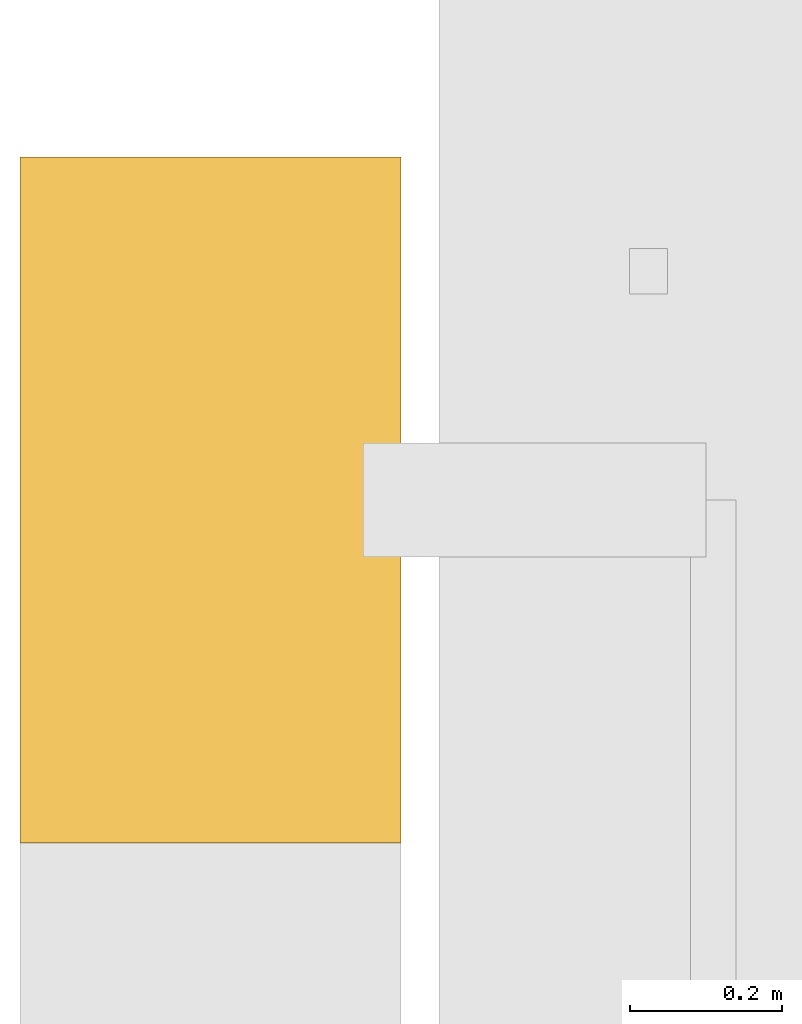
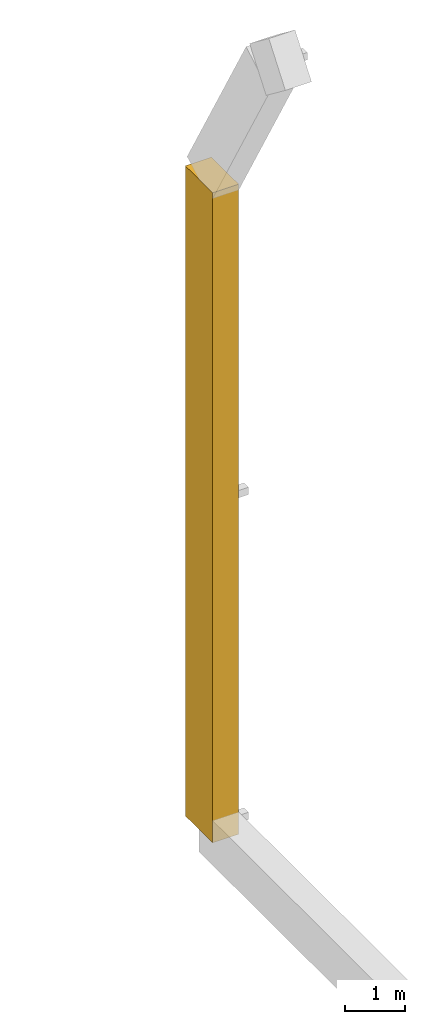
# One storey, part 24 of 38: 1 covering.
"""IFC4 building model written with IfcOpenShell, lengths in metres."""

import ifcopenshell
import ifcopenshell.guid

model = None  # the IFC model being written
_history = None  # IfcOwnerHistory: only IFC2X3 demands one
_inside = {}  # id of a spatial element -> (the spatial element, [elements in it])
_under = {}  # id of a project, library or spatial element -> (it, [spatial elements below it])
_declared = {}  # id of a project -> (the project, [libraries it declares])
_typed = {}  # id of a type object -> (the type object, [elements of that type])
_made_of = {}  # id of a material, layer set ... -> (it, [elements and type objects made of it])


def new_model(schema):
    """Start an empty IFC model of exactly this schema.

    Asked for "IFC4X3", IfcOpenShell would pick the latest addendum, in which some entities
    have other attributes; the version numbers below select the first issue.
    IFC2X3 requires an IfcOwnerHistory on every rooted entity: one is made here for all.
    """
    global model, _history
    if schema == "IFC4X3":
        model = ifcopenshell.file(schema_version=(4, 3, 0, 0))
    else:
        model = ifcopenshell.file(schema=schema)
    _inside.clear()
    _under.clear()
    _declared.clear()
    _typed.clear()
    _made_of.clear()
    _history = None
    if model.schema == "IFC2X3":
        org = make("IfcOrganization", Name="unknown")
        user = make(
            "IfcPersonAndOrganization",
            ThePerson=make("IfcPerson", FamilyName="unknown"),
            TheOrganization=org,
        )
        app = make(
            "IfcApplication",
            ApplicationDeveloper=org,
            Version="unknown",
            ApplicationFullName="unknown",
            ApplicationIdentifier="unknown",
        )
        _history = make(
            "IfcOwnerHistory",
            OwningUser=user,
            OwningApplication=app,
            ChangeAction="ADDED",
            CreationDate=0,
        )
    return model


def make(cls, **values):
    """One entity of the class cls with the attributes given. An attribute that is None is left unset."""
    return model.create_entity(
        cls, **{name: value for name, value in values.items() if value is not None}
    )


def rooted(cls, **values):
    """An entity with a GlobalId (a new one), such as an element, a storey or a relation."""
    return make(cls, GlobalId=ifcopenshell.guid.new(), OwnerHistory=_history, **values)


def si_unit(unit_type, name, prefix=None):
    """IfcSIUnit, for example si_unit("LENGTHUNIT", "METRE", prefix="MILLI")."""
    return make("IfcSIUnit", UnitType=unit_type, Prefix=prefix, Name=name)


def assignment(units):
    """IfcUnitAssignment: the units of a project."""
    return None if units is None else make("IfcUnitAssignment", Units=units)


def point(xyz):
    """IfcCartesianPoint."""
    return None if xyz is None else make("IfcCartesianPoint", Coordinates=xyz)


def direction(xyz):
    """IfcDirection."""
    return None if xyz is None else make("IfcDirection", DirectionRatios=xyz)


def frame(location, z_axis=None, x_axis=None):
    """IfcAxis2Placement3D, a coordinate frame: its origin and axes. An axis left out is left unset."""
    return make(
        "IfcAxis2Placement3D",
        Location=point(location),
        Axis=direction(z_axis),
        RefDirection=direction(x_axis),
    )


def frame_2d(location, x_axis=None):
    """IfcAxis2Placement2D, a coordinate frame in the plane: its origin and x axis."""
    return make(
        "IfcAxis2Placement2D", Location=point(location), RefDirection=direction(x_axis)
    )


def origin():
    """The frame at (0, 0, 0) with its axes left unset."""
    return frame((0.0, 0.0, 0.0))


def origin_2d():
    """The frame at (0, 0) in the plane with its x axis left unset."""
    return frame_2d((0.0, 0.0))


def place(relative_to, where):
    """IfcLocalPlacement: puts the frame where relative to a parent placement (None: the world)."""
    return make(
        "IfcLocalPlacement", PlacementRelTo=relative_to, RelativePlacement=where
    )


def context(
    kind, dimensions, precision=None, world=None, true_north=None, identifier=None
):
    """IfcGeometricRepresentationContext, for example the 3D "Model" context."""
    return make(
        "IfcGeometricRepresentationContext",
        ContextIdentifier=identifier,
        ContextType=kind,
        CoordinateSpaceDimension=dimensions,
        Precision=precision,
        WorldCoordinateSystem=world,
        TrueNorth=true_north,
    )


def subcontext(parent, identifier, kind, view, scale=None):
    """IfcGeometricRepresentationSubContext, for example "Body" below "Model"."""
    return make(
        "IfcGeometricRepresentationSubContext",
        ContextIdentifier=identifier,
        ContextType=kind,
        ParentContext=parent,
        TargetScale=scale,
        TargetView=view,
    )


def project(units=None, contexts=None):
    """IfcProject with its units and contexts."""
    return rooted(
        "IfcProject",
        Name="project",
        RepresentationContexts=contexts,
        UnitsInContext=assignment(units),
    )


def spatial(cls, under=None, at=None, **own):
    """A site, building, storey or space (cls), placed at a placement, below another one or the project."""
    s = rooted(cls, ObjectPlacement=at, **own)
    if under is not None:
        _under.setdefault(under.id(), (under, []))[1].append(s)
    return s


def profile(cls, at=None, kind="AREA", **sizes):
    """A parametric profile (cls). Its sizes go by their IFC names, for example OverallWidth=200.0."""
    return make(cls, ProfileType=kind, Position=at, **sizes)


def rectangle(**sizes):
    """IfcRectangleProfileDef."""
    return profile("IfcRectangleProfileDef", **sizes)


def extrude(swept, where, along, depth):
    """IfcExtrudedAreaSolid: the profile swept, set in the frame where, extruded along a direction by depth."""
    return make(
        "IfcExtrudedAreaSolid",
        SweptArea=swept,
        Position=where,
        ExtrudedDirection=direction(along),
        Depth=depth,
    )


def shape(context_of_items, identifier, shape_type, items):
    """IfcShapeRepresentation: the items that make up one representation, for example the "Body"."""
    return make(
        "IfcShapeRepresentation",
        ContextOfItems=context_of_items,
        RepresentationIdentifier=identifier,
        RepresentationType=shape_type,
        Items=items,
    )


def material(Name=None, Category=None):
    """IfcMaterial."""
    return make("IfcMaterial", Name=Name, Category=Category)


def material_profile(
    of_material, cross_section, Name=None, Category=None, Priority=None
):
    """IfcMaterialProfile: a cross section and its material."""
    return make(
        "IfcMaterialProfile",
        Name=Name,
        Material=of_material,
        Profile=cross_section,
        Priority=Priority,
        Category=Category,
    )


def profile_set(profiles, Name=None, composite=None):
    """IfcMaterialProfileSet."""
    return make(
        "IfcMaterialProfileSet",
        Name=Name,
        MaterialProfiles=profiles,
        CompositeProfile=composite,
    )


def made_of(thing, what):
    """Note that an element or type object is made of a material, layer set ...; save() writes the relation."""
    if what is not None:
        _made_of.setdefault(what.id(), (what, []))[1].append(thing)
    return thing


def type_object(cls, material=None, **own):
    """A type object (cls), such as IfcWallType, which elements share."""
    return made_of(rooted(cls, **own), material)


def element(
    cls,
    number,
    at=None,
    inside=None,
    cuts=None,
    type_object=None,
    material=None,
    context=None,
    identifier="Body",
    shape_type=None,
    held_by="IfcProductDefinitionShape",
    body=None,
    shapes=None,
    **own,
):
    """One element of the class cls, such as IfcWall. Its Tag is "e" and its number.

    at: its placement. inside: the storey or other place that contains it. cuts: it is an
    opening in that element (IfcRelVoidsElement). A single representation is given by context,
    identifier, shape_type and body (its items); several are given by shapes. held_by: the class
    of the entity that holds the representations. save() writes the other relations.
    """
    e = rooted(cls, Tag="e%d" % number, ObjectPlacement=at, **own)
    if body is not None:
        shapes = [shape(context, identifier, shape_type, body)]
    if shapes is not None:
        e.Representation = make(held_by, Representations=shapes)
    if inside is not None:
        _inside.setdefault(inside.id(), (inside, []))[1].append(e)
    if cuts is not None:
        rooted(
            "IfcRelVoidsElement", RelatingBuildingElement=cuts, RelatedOpeningElement=e
        )
    if type_object is not None:
        _typed.setdefault(type_object.id(), (type_object, []))[1].append(e)
    return made_of(e, material)


def aggregate(whole, parts):
    """IfcRelAggregates: a whole, such as a stair, and the parts it consists of."""
    return rooted("IfcRelAggregates", RelatingObject=whole, RelatedObjects=parts)


def save(model, path):
    """Write the relations noted so far, then the file.

    IfcRelAggregates (storeys below a building ...), IfcRelContainedInSpatialStructure (elements
    in a storey), IfcRelDefinesByType, IfcRelAssociatesMaterial and IfcRelDeclares: one each for
    every whole, place, type object, material and project.
    """
    for whole, parts in _under.values():
        aggregate(whole, parts)
    for where, things in _inside.values():
        rooted(
            "IfcRelContainedInSpatialStructure",
            RelatedElements=things,
            RelatingStructure=where,
        )
    for kind, things in _typed.values():
        rooted("IfcRelDefinesByType", RelatedObjects=things, RelatingType=kind)
    for what, things in _made_of.values():
        rooted("IfcRelAssociatesMaterial", RelatedObjects=things, RelatingMaterial=what)
    for by, libraries in _declared.values():
        rooted("IfcRelDeclares", RelatingContext=by, RelatedDefinitions=libraries)
    model.write(path)


model = new_model("IFC4")

# Units and contexts
model_context = context("Model", 3, precision=1e-05, world=origin(), true_north=direction((0.0, 1.0)))
body_context = subcontext(model_context, "Body", "Model", "MODEL_VIEW")
ifc_project = project(units=[si_unit("LENGTHUNIT", "METRE"), si_unit("AREAUNIT", "SQUARE_METRE"), si_unit("VOLUMEUNIT", "CUBIC_METRE"), si_unit("PLANEANGLEUNIT", "RADIAN"), si_unit("MASSUNIT", "GRAM", prefix="KILO")], contexts=[model_context])

# Site, building, storey
site_placement = place(None, origin())
site = spatial("IfcSite", under=ifc_project, at=site_placement, CompositionType="ELEMENT")
building_placement = place(site_placement, origin())
building = spatial("IfcBuilding", under=site, at=building_placement, Name="Cobrizo Arcos Hotel Tower", CompositionType="ELEMENT")
storey_placement = place(building_placement, frame((0.0, 0.0, 138.0)))
storey = spatial("IfcBuildingStorey", under=building, at=storey_placement, Name="L35", CompositionType="ELEMENT", Elevation=138.0)

# Covering
ifc_material = material(Name="Aluminium 6063-T6 anodised pale", Category="aluminium")
ifc_material_profile = material_profile(ifc_material, rectangle(XDim=0.5, YDim=0.89990234375, at=origin_2d()), Name="AF-2 core arch rim 500x900")
ifc_profile_set = profile_set([ifc_material_profile], Name="Aluminium 6063-T6 anodised pale")
covering_type = type_object("IfcCoveringType", Name="AF-2 core arch rim 500x900", PredefinedType="CLADDING", material=ifc_profile_set)
covering_placement = place(storey_placement, frame((-23.699951171875, 7.800048828125, -20.550048828125), z_axis=(0.0, 0.0, 1.0), x_axis=(1.0, 0.0, 0.0)))
element("IfcCovering", 1, at=covering_placement, inside=storey, type_object=covering_type, Name="Arch rim B W face", PredefinedType="CLADDING", context=body_context, shape_type="SweptSolid", body=[
    extrude(rectangle(XDim=0.5, YDim=0.89990234375, at=origin_2d()), origin(), (0.0, 0.0, 1.0), 13.117431640625),
])

save(model, "model.ifc")
